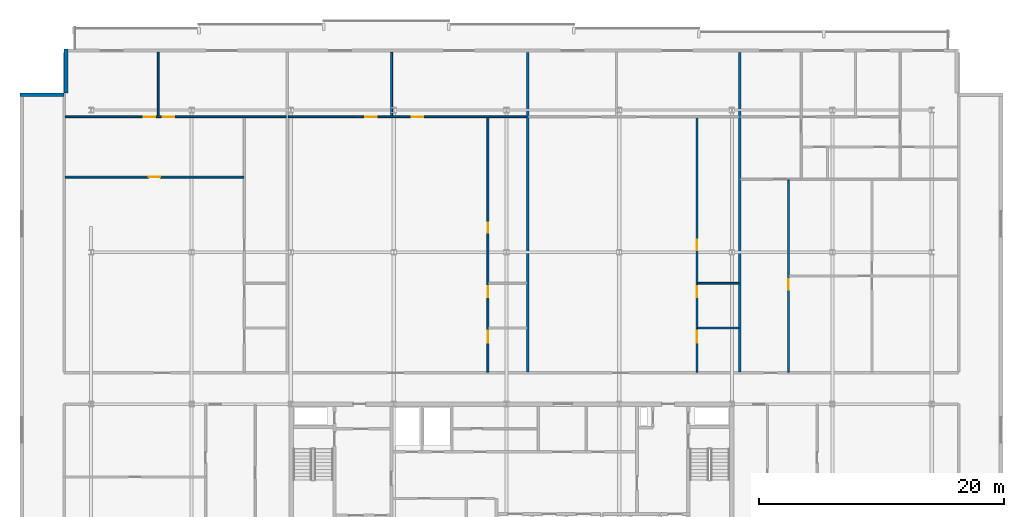
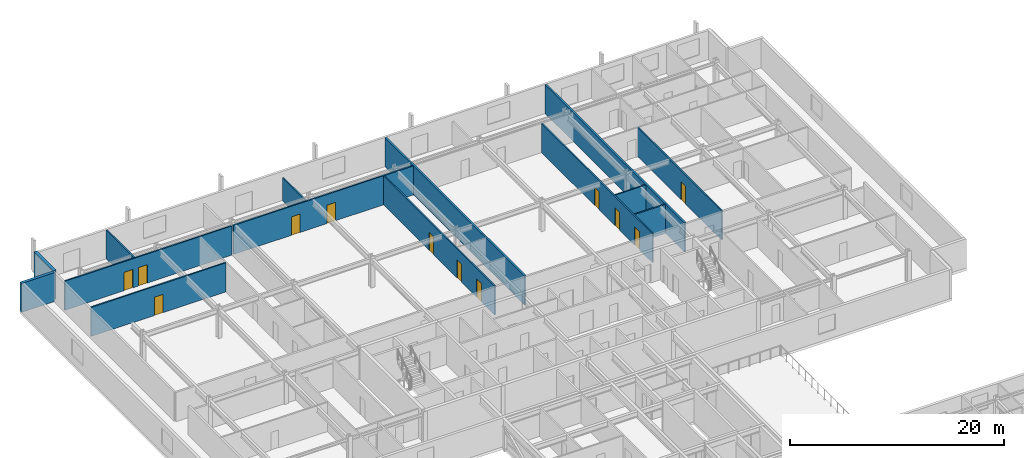
# One storey, part 20 of 28: 14 walls, 12 doors, 12 openings.
"""IFC4 building model written with IfcOpenShell, lengths in metres."""

from ifc_helpers import new_model, si_unit, direction, frame, frame_2d, origin, place, context, subcontext, project, spatial, rectangle, extrude, material, layer, layer_set, type_object, element, fill, save


model = new_model("IFC4")

# Units and contexts
model_context = context("Model", 3, precision=1e-05, world=origin(), true_north=direction((0.0, 1.0)))
body_context = subcontext(model_context, "Body", "Model", "MODEL_VIEW")
ifc_project = project(units=[si_unit("LENGTHUNIT", "METRE"), si_unit("AREAUNIT", "SQUARE_METRE"), si_unit("VOLUMEUNIT", "CUBIC_METRE"), si_unit("PLANEANGLEUNIT", "RADIAN"), si_unit("MASSUNIT", "GRAM", prefix="KILO")], contexts=[model_context])

# Site, building, storey
site_placement = place(None, origin())
site = spatial("IfcSite", under=ifc_project, at=site_placement, CompositionType="ELEMENT")
building_placement = place(site_placement, origin())
building = spatial("IfcBuilding", under=site, at=building_placement, Name="Korimba Cascade Residences", CompositionType="ELEMENT")
storey_placement = place(building_placement, frame((0.0, 0.0, 153.699951171875)))
storey = spatial("IfcBuildingStorey", under=building, at=storey_placement, Name="L44", CompositionType="ELEMENT", Elevation=153.699951171875)

# Walls
ifc_material_1 = material(Name="Precast concrete C40/50", Category="concrete")
ifc_layer_1 = layer(ifc_material_1, 0.300048828125)
ifc_layer_set_1 = layer_set([ifc_layer_1], Name="Precast concrete C40/50")
wall_type_1 = type_object("IfcWallType", Name="EW-STONE-300", PredefinedType="STANDARD", material=ifc_layer_set_1)
wall_1_placement = place(storey_placement, frame((57.75, 96.199951171875, 0.0), z_axis=(0.0, 0.0, 1.0), x_axis=(0.0, -1.0, 0.0)))
element("IfcWall", 1, at=wall_1_placement, inside=storey, type_object=wall_type_1, Name="L44 T1 Perimeter Stone Wall E07", PredefinedType="STANDARD", context=body_context, shape_type="SweptSolid", body=[
    extrude(rectangle(XDim=3.599853515625, YDim=0.300048828125, at=frame_2d((1.7998046875, 0.0))), origin(), (0.0, 0.0, 1.0), 3.320068359375),
])
wall_2_placement = place(storey_placement, frame((57.60009765625, 92.449951171875, 0.0), z_axis=(0.0, 0.0, 1.0), x_axis=(-1.0, 0.0, 0.0)))
element("IfcWall", 2, at=wall_2_placement, inside=storey, type_object=wall_type_1, Name="L44 T1 Perimeter Stone Wall E08", PredefinedType="STANDARD", context=body_context, shape_type="SweptSolid", body=[
    extrude(rectangle(XDim=3.60009765625, YDim=0.300048828125, at=frame_2d((1.800048828125, 0.0))), origin(), (0.0, 0.0, 1.0), 3.320068359375),
])
ifc_layer_2 = layer(ifc_material_1, 0.199951171875)
ifc_layer_set_2 = layer_set([ifc_layer_2], Name="Precast concrete C40/50")
wall_type_2 = type_object("IfcWallType", Name="WAL-IT-200", PredefinedType="PARTITIONING", material=ifc_layer_set_2)
for number, where, z_axis, x_axis, name in (
    (3, (95.449951171875, 69.830078125, 0.0), (0.0, 0.0, 1.0), (0.0, 1.0, 0.0), "L44 Partition Wall WAL-L44-T1-DEM-2"),
    (4, (112.75, 69.830078125, 0.0), (0.0, 0.0, 1.0), (0.0, 1.0, 0.0), "L44 Partition Wall WAL-L44-T1-DEM-3"),
):
    element("IfcWall", number, at=place(storey_placement, frame(where, z_axis=z_axis, x_axis=x_axis)), inside=storey, type_object=wall_type_2, Name=name, PredefinedType="PARTITIONING", context=body_context, shape_type="SweptSolid", body=[
        extrude(rectangle(XDim=26.06982421875, YDim=0.199951171875, at=frame_2d((13.034912109375, 0.0))), origin(), (0.0, 0.0, 1.0), 3.320068359375),
    ])

# Wall, opening, door
ifc_material_2 = material(Name="Insulated Acoustic Stud Partition", Category="gypsum")
ifc_layer_3 = layer(ifc_material_2, 0.14990234375)
ifc_layer_set_3 = layer_set([ifc_layer_3], Name="Insulated Acoustic Stud Partition")
wall_type_3 = type_object("IfcWallType", Name="WAL-PART-150", PredefinedType="PARTITIONING", material=ifc_layer_set_3)
wall_3_placement = place(storey_placement, frame((57.679931640625, 85.72998046875, 0.0), z_axis=(0.0, 0.0, 1.0), x_axis=(1.0, 0.0, 0.0)))
wall_3 = element("IfcWall", 5, at=wall_3_placement, inside=storey, type_object=wall_type_3, Name="L44 Partition Wall WAL-L44-T1-U01-CARH", PredefinedType="PARTITIONING", context=body_context, shape_type="SweptSolid", body=[
    extrude(rectangle(XDim=14.592529296875, YDim=0.14990234375, at=frame_2d((7.29638671875, 0.0))), origin(), (0.0, 0.0, 1.0), 3.320068359375),
])
opening_1_placement = place(wall_3_placement, frame((6.826171875, 0.0, 0.0)))
opening_1 = element("IfcOpeningElement", 6, at=opening_1_placement, cuts=wall_3, Name="Opening D-IN0", PredefinedType="OPENING", context=body_context, shape_type="SweptSolid", body=[
    extrude(rectangle(XDim=0.93994140625, YDim=2.10009765625, at=frame_2d((0.469970703125, 1.050048828125))), frame((0.0, 0.0849609375, 0.0), z_axis=(0.0, -1.0, 0.0), x_axis=(1.0, 0.0, 0.0)), (0.0, 0.0, 1.0), 0.169921875),
])
ifc_material_3 = material(Name="Acoustic Timber Living Archway Door", Category="wood")
door_type_1 = type_object("IfcDoorType", Name="DR-INT-950", OperationType="NOTDEFINED", PredefinedType="DOOR", material=ifc_material_3)
door_1_placement = place(opening_1_placement, origin())
door_1 = element("IfcDoor", 7, at=door_1_placement, inside=storey, type_object=door_type_1, Name="L44-T1-U01 Wellness Clinic Foyer Door", OperationType="SINGLE_SWING_RIGHT", OverallHeight=2.10009765625, OverallWidth=0.93994140625, PredefinedType="DOOR", context=body_context, shape_type="SweptSolid", body=[
    extrude(rectangle(XDim=0.93994140625, YDim=2.10009765625, at=frame_2d((0.469970703125, 1.050048828125))), frame((0.0, 0.02490234375, 0.0), z_axis=(0.0, -1.0, 0.0), x_axis=(1.0, 0.0, 0.0)), (0.0, 0.0, 1.0), 0.050048828125),
])
fill(opening_1, door_1)

# Wall
wall_4_placement = place(storey_placement, frame((65.2861328125, 90.72998046875, 0.0), z_axis=(0.0, 0.0, 1.0), x_axis=(0.0, 1.0, 0.0)))
element("IfcWall", 8, at=wall_4_placement, inside=storey, type_object=wall_type_3, Name="L44 Partition Wall WAL-L44-T1-U01-OUTV", PredefinedType="PARTITIONING", context=body_context, shape_type="SweptSolid", body=[
    extrude(rectangle(XDim=5.169921875, YDim=0.14990234375, at=frame_2d((2.5849609375, 0.0))), origin(), (0.0, 0.0, 1.0), 3.320068359375),
])

# Wall, openings, doors
wall_5_placement = place(storey_placement, frame((57.679931640625, 90.64990234375, 0.0), z_axis=(0.0, 0.0, 1.0), x_axis=(1.0, 0.0, 0.0)))
wall_5 = element("IfcWall", 9, at=wall_5_placement, inside=storey, type_object=wall_type_3, Name="L44 Partition Wall WAL-L44-T1-U01-HZ", PredefinedType="PARTITIONING", context=body_context, shape_type="SweptSolid", body=[
    extrude(rectangle(XDim=18.052490234375, YDim=0.14990234375, at=frame_2d((9.0263671875, 0.0))), origin(), (0.0, 0.0, 1.0), 3.320068359375),
])
opening_2_placement = place(wall_5_placement, frame((6.416259765625, 0.0, 0.0)))
opening_2 = element("IfcOpeningElement", 10, at=opening_2_placement, cuts=wall_5, Name="Opening D-IN0", PredefinedType="OPENING", context=body_context, shape_type="SweptSolid", body=[
    extrude(rectangle(XDim=0.93994140625, YDim=2.10009765625, at=frame_2d((0.469970703125, 1.050048828125))), frame((0.0, 0.0849609375, 0.0), z_axis=(0.0, -1.0, 0.0), x_axis=(1.0, 0.0, 0.0)), (0.0, 0.0, 1.0), 0.169921875),
])
opening_3_placement = place(wall_5_placement, frame((7.968017578125, 0.0, 0.0)))
opening_3 = element("IfcOpeningElement", 11, at=opening_3_placement, cuts=wall_5, Name="Opening D-IN0", PredefinedType="OPENING", context=body_context, shape_type="SweptSolid", body=[
    extrude(rectangle(XDim=0.93994140625, YDim=2.10009765625, at=frame_2d((0.469970703125, 1.050048828125))), frame((0.0, 0.0849609375, 0.0), z_axis=(0.0, -1.0, 0.0), x_axis=(1.0, 0.0, 0.0)), (0.0, 0.0, 1.0), 0.169921875),
])
door_2_placement = place(opening_2_placement, origin())
door_2 = element("IfcDoor", 12, at=door_2_placement, inside=storey, type_object=door_type_1, Name="L44-T1-U01 Hydrotherapy Wellness Clinic Door", OperationType="SINGLE_SWING_RIGHT", OverallHeight=2.10009765625, OverallWidth=0.93994140625, PredefinedType="DOOR", context=body_context, shape_type="SweptSolid", body=[
    extrude(rectangle(XDim=0.93994140625, YDim=2.10009765625, at=frame_2d((0.469970703125, 1.050048828125))), frame((0.0, 0.02490234375, 0.0), z_axis=(0.0, -1.0, 0.0), x_axis=(1.0, 0.0, 0.0)), (0.0, 0.0, 1.0), 0.050048828125),
])
fill(opening_2, door_2)
door_3_placement = place(opening_3_placement, origin())
door_3 = element("IfcDoor", 13, at=door_3_placement, inside=storey, type_object=door_type_1, Name="L44-T1-U01 Physiotherapy Treatment Room Door", OperationType="SINGLE_SWING_LEFT", OverallHeight=2.10009765625, OverallWidth=0.93994140625, PredefinedType="DOOR", context=body_context, shape_type="SweptSolid", body=[
    extrude(rectangle(XDim=0.93994140625, YDim=2.10009765625, at=frame_2d((0.469970703125, 1.050048828125))), frame((0.0, 0.02490234375, 0.0), z_axis=(0.0, -1.0, 0.0), x_axis=(1.0, 0.0, 0.0)), (0.0, 0.0, 1.0), 0.050048828125),
])
fill(opening_3, door_3)

wall_6_placement = place(storey_placement, frame((92.179931640625, 69.81005859375, 0.0), z_axis=(0.0, 0.0, 1.0), x_axis=(0.0, 1.0, 0.0)))
wall_6 = element("IfcWall", 14, at=wall_6_placement, inside=storey, type_object=wall_type_3, Name="L44 Partition Wall WAL-L44-T1-U02-WCV", PredefinedType="PARTITIONING", context=body_context, shape_type="SweptSolid", body=[
    extrude(rectangle(XDim=20.780029296875, YDim=0.14990234375, at=frame_2d((10.39013671875, 0.0))), origin(), (0.0, 0.0, 1.0), 3.320068359375),
])
opening_4_placement = place(wall_6_placement, frame((2.406005859375, 0.0, 0.0)))
opening_4 = element("IfcOpeningElement", 15, at=opening_4_placement, cuts=wall_6, Name="Opening D-AC1", PredefinedType="OPENING", context=body_context, shape_type="SweptSolid", body=[
    extrude(rectangle(XDim=0.9599609375, YDim=2.10009765625, at=frame_2d((0.47998046875, 1.050048828125))), frame((0.0, 0.0849609375, 0.0), z_axis=(0.0, -1.0, 0.0), x_axis=(1.0, 0.0, 0.0)), (0.0, 0.0, 1.0), 0.169921875),
])
opening_5_placement = place(wall_6_placement, frame((6.132568359375, 0.0, 0.0)))
opening_5 = element("IfcOpeningElement", 16, at=opening_5_placement, cuts=wall_6, Name="Opening D-IN2", PredefinedType="OPENING", context=body_context, shape_type="SweptSolid", body=[
    extrude(rectangle(XDim=0.8798828125, YDim=2.06005859375, at=frame_2d((0.43994140625, 1.030029296875))), frame((0.0, 0.0849609375, 0.0), z_axis=(0.0, -1.0, 0.0), x_axis=(1.0, 0.0, 0.0)), (0.0, 0.0, 1.0), 0.169921875),
])
opening_6_placement = place(wall_6_placement, frame((11.370361328125, 0.0, 0.0)))
opening_6 = element("IfcOpeningElement", 17, at=opening_6_placement, cuts=wall_6, Name="Opening D-BT1", PredefinedType="OPENING", context=body_context, shape_type="SweptSolid", body=[
    extrude(rectangle(XDim=0.840087890625, YDim=2.0400390625, at=frame_2d((0.419921875, 1.02001953125))), frame((0.0, 0.0849609375, 0.0), z_axis=(0.0, -1.0, 0.0), x_axis=(1.0, 0.0, 0.0)), (0.0, 0.0, 1.0), 0.169921875),
])
ifc_material_4 = material(Name="Accessible Acoustic Timber WC Door", Category="wood")
door_type_2 = type_object("IfcDoorType", Name="DR-ACC-950", OperationType="NOTDEFINED", PredefinedType="DOOR", material=ifc_material_4)
door_4_placement = place(opening_4_placement, origin())
door_4 = element("IfcDoor", 18, at=door_4_placement, inside=storey, type_object=door_type_2, Name="L44-T1-U02 Accessible WC Door", OperationType="SINGLE_SWING_RIGHT", OverallHeight=2.10009765625, OverallWidth=0.9599609375, PredefinedType="DOOR", context=body_context, shape_type="SweptSolid", body=[
    extrude(rectangle(XDim=0.9599609375, YDim=2.10009765625, at=frame_2d((0.47998046875, 1.050048828125))), frame((0.0, 0.02490234375, 0.0), z_axis=(0.0, -1.0, 0.0), x_axis=(1.0, 0.0, 0.0)), (0.0, 0.0, 1.0), 0.050048828125),
])
fill(opening_4, door_4)
ifc_material_5 = material(Name="Moisture-Resistant Bathroom Timber Door", Category="wood")
door_type_3 = type_object("IfcDoorType", Name="DR-INT-850", OperationType="NOTDEFINED", PredefinedType="DOOR", material=ifc_material_5)
door_5_placement = place(opening_6_placement, origin())
door_5 = element("IfcDoor", 19, at=door_5_placement, inside=storey, type_object=door_type_3, Name="L44-T1-U02 Suite Store Door", OperationType="SINGLE_SWING_RIGHT", OverallHeight=2.0400390625, OverallWidth=0.840087890625, PredefinedType="DOOR", context=body_context, shape_type="SweptSolid", body=[
    extrude(rectangle(XDim=0.840087890625, YDim=2.0400390625, at=frame_2d((0.419921875, 1.02001953125))), frame((0.0, 0.02490234375, 0.0), z_axis=(0.0, -1.0, 0.0), x_axis=(1.0, 0.0, 0.0)), (0.0, 0.0, 1.0), 0.050048828125),
])
fill(opening_6, door_5)
ifc_material_6 = material(Name="Acoustic Timber Bedroom Door", Category="wood")
door_type_4 = type_object("IfcDoorType", Name="DR-INT-880", OperationType="NOTDEFINED", PredefinedType="DOOR", material=ifc_material_6)
door_6_placement = place(opening_5_placement, origin())
door_6 = element("IfcDoor", 20, at=door_6_placement, inside=storey, type_object=door_type_4, Name="L44-T1-U02 Restroom WC Door", OperationType="SINGLE_SWING_LEFT", OverallHeight=2.06005859375, OverallWidth=0.8798828125, PredefinedType="DOOR", context=body_context, shape_type="SweptSolid", body=[
    extrude(rectangle(XDim=0.8798828125, YDim=2.06005859375, at=frame_2d((0.43994140625, 1.030029296875))), frame((0.0, 0.02490234375, 0.0), z_axis=(0.0, -1.0, 0.0), x_axis=(1.0, 0.0, 0.0)), (0.0, 0.0, 1.0), 0.050048828125),
])
fill(opening_5, door_6)

# Wall
wall_7_placement = place(storey_placement, frame((84.326416015625, 90.72998046875, 0.0), z_axis=(0.0, 0.0, 1.0), x_axis=(0.0, 1.0, 0.0)))
element("IfcWall", 21, at=wall_7_placement, inside=storey, type_object=wall_type_3, Name="L44 Partition Wall WAL-L44-T1-U02-OUTV", PredefinedType="PARTITIONING", context=body_context, shape_type="SweptSolid", body=[
    extrude(rectangle(XDim=5.169921875, YDim=0.14990234375, at=frame_2d((2.5849609375, 0.0))), origin(), (0.0, 0.0, 1.0), 2.627197265625),
])

# Wall, openings, doors
wall_8_placement = place(storey_placement, frame((75.892578125, 90.64990234375, 0.0), z_axis=(0.0, 0.0, 1.0), x_axis=(1.0, 0.0, 0.0)))
wall_8 = element("IfcWall", 22, at=wall_8_placement, inside=storey, type_object=wall_type_3, Name="L44 Partition Wall WAL-L44-T1-U02-HZ", PredefinedType="PARTITIONING", context=body_context, shape_type="SweptSolid", body=[
    extrude(rectangle(XDim=19.4775390625, YDim=0.14990234375, at=frame_2d((9.73876953125, 0.0))), origin(), (0.0, 0.0, 1.0), 3.320068359375),
])
opening_7_placement = place(wall_8_placement, frame((6.2646484375, 0.0, 0.0)))
opening_7 = element("IfcOpeningElement", 23, at=opening_7_placement, cuts=wall_8, Name="Opening D-IN0", PredefinedType="OPENING", context=body_context, shape_type="SweptSolid", body=[
    extrude(rectangle(XDim=0.93994140625, YDim=2.10009765625, at=frame_2d((0.469970703125, 1.050048828125))), frame((0.0, 0.0849609375, 0.0), z_axis=(0.0, -1.0, 0.0), x_axis=(1.0, 0.0, 0.0)), (0.0, 0.0, 1.0), 0.169921875),
])
opening_8_placement = place(wall_8_placement, frame((10.0947265625, 0.0, 0.0)))
opening_8 = element("IfcOpeningElement", 24, at=opening_8_placement, cuts=wall_8, Name="Opening D-IN0", PredefinedType="OPENING", context=body_context, shape_type="SweptSolid", body=[
    extrude(rectangle(XDim=0.93994140625, YDim=2.10009765625, at=frame_2d((0.469970703125, 1.050048828125))), frame((0.0, 0.0849609375, 0.0), z_axis=(0.0, -1.0, 0.0), x_axis=(1.0, 0.0, 0.0)), (0.0, 0.0, 1.0), 0.169921875),
])
door_7_placement = place(opening_7_placement, origin())
door_7 = element("IfcDoor", 25, at=door_7_placement, inside=storey, type_object=door_type_1, Name="L44-T1-U02 Fitness Pilates Gym Door", OperationType="SINGLE_SWING_LEFT", OverallHeight=2.10009765625, OverallWidth=0.93994140625, PredefinedType="DOOR", context=body_context, shape_type="SweptSolid", body=[
    extrude(rectangle(XDim=0.93994140625, YDim=2.10009765625, at=frame_2d((0.469970703125, 1.050048828125))), frame((0.0, 0.02490234375, 0.0), z_axis=(0.0, -1.0, 0.0), x_axis=(1.0, 0.0, 0.0)), (0.0, 0.0, 1.0), 0.050048828125),
])
fill(opening_7, door_7)
door_8_placement = place(opening_8_placement, origin())
door_8 = element("IfcDoor", 26, at=door_8_placement, inside=storey, type_object=door_type_1, Name="L44-T1-U02 Private Screening Cinema Door", OperationType="SINGLE_SWING_RIGHT", OverallHeight=2.10009765625, OverallWidth=0.93994140625, PredefinedType="DOOR", context=body_context, shape_type="SweptSolid", body=[
    extrude(rectangle(XDim=0.93994140625, YDim=2.10009765625, at=frame_2d((0.469970703125, 1.050048828125))), frame((0.0, 0.02490234375, 0.0), z_axis=(0.0, -1.0, 0.0), x_axis=(1.0, 0.0, 0.0)), (0.0, 0.0, 1.0), 0.050048828125),
])
fill(opening_8, door_8)

# Walls
for number, where, z_axis, x_axis, name in (
    (27, (109.31005859375, 73.419921875, 0.0), (0.0, 0.0, 1.0), (1.0, 0.0, 0.0), "L44 Partition Wall WAL-L44-T1-U03-WCH"),
    (28, (109.31005859375, 77.070068359375, 0.0), (0.0, 0.0, 1.0), (1.0, 0.0, 0.0), "L44 Partition Wall WAL-L44-T1-U03-WCH2"),
):
    element("IfcWall", number, at=place(storey_placement, frame(where, z_axis=z_axis, x_axis=x_axis)), inside=storey, type_object=wall_type_3, Name=name, PredefinedType="PARTITIONING", context=body_context, shape_type="SweptSolid", body=[
        extrude(rectangle(XDim=3.35986328125, YDim=0.14990234375, at=frame_2d((1.679931640625, 0.0))), origin(), (0.0, 0.0, 1.0), 3.320068359375),
    ])

# Wall, openings, doors
wall_9_placement = place(storey_placement, frame((109.25, 69.81005859375, 0.0), z_axis=(0.0, 0.0, 1.0), x_axis=(0.0, 1.0, 0.0)))
wall_9 = element("IfcWall", 29, at=wall_9_placement, inside=storey, type_object=wall_type_3, Name="L44 Partition Wall WAL-L44-T1-U03-WCV", PredefinedType="PARTITIONING", context=body_context, shape_type="SweptSolid", body=[
    extrude(rectangle(XDim=20.780029296875, YDim=0.14990234375, at=frame_2d((10.39013671875, 0.0))), origin(), (0.0, 0.0, 1.0), 3.320068359375),
])
opening_9_placement = place(wall_9_placement, frame((2.406005859375, 0.0, 0.0)))
opening_9 = element("IfcOpeningElement", 30, at=opening_9_placement, cuts=wall_9, Name="Opening D-AC1", PredefinedType="OPENING", context=body_context, shape_type="SweptSolid", body=[
    extrude(rectangle(XDim=0.9599609375, YDim=2.10009765625, at=frame_2d((0.47998046875, 1.050048828125))), frame((0.0, 0.0849609375, 0.0), z_axis=(0.0, -1.0, 0.0), x_axis=(1.0, 0.0, 0.0)), (0.0, 0.0, 1.0), 0.169921875),
])
opening_10_placement = place(wall_9_placement, frame((6.132568359375, 0.0, 0.0)))
opening_10 = element("IfcOpeningElement", 31, at=opening_10_placement, cuts=wall_9, Name="Opening D-IN2", PredefinedType="OPENING", context=body_context, shape_type="SweptSolid", body=[
    extrude(rectangle(XDim=0.8798828125, YDim=2.06005859375, at=frame_2d((0.43994140625, 1.030029296875))), frame((0.0, 0.0849609375, 0.0), z_axis=(0.0, -1.0, 0.0), x_axis=(1.0, 0.0, 0.0)), (0.0, 0.0, 1.0), 0.169921875),
])
opening_11_placement = place(wall_9_placement, frame((9.969970703125, 0.0, 0.0)))
opening_11 = element("IfcOpeningElement", 32, at=opening_11_placement, cuts=wall_9, Name="Opening D-BT1", PredefinedType="OPENING", context=body_context, shape_type="SweptSolid", body=[
    extrude(rectangle(XDim=0.840087890625, YDim=2.0400390625, at=frame_2d((0.419921875, 1.02001953125))), frame((0.0, 0.0849609375, 0.0), z_axis=(0.0, -1.0, 0.0), x_axis=(1.0, 0.0, 0.0)), (0.0, 0.0, 1.0), 0.169921875),
])
door_9_placement = place(opening_9_placement, origin())
door_9 = element("IfcDoor", 33, at=door_9_placement, inside=storey, type_object=door_type_2, Name="L44-T1-U03 Accessible WC Door", OperationType="SINGLE_SWING_LEFT", OverallHeight=2.10009765625, OverallWidth=0.9599609375, PredefinedType="DOOR", context=body_context, shape_type="SweptSolid", body=[
    extrude(rectangle(XDim=0.9599609375, YDim=2.10009765625, at=frame_2d((0.47998046875, 1.050048828125))), frame((0.0, 0.02490234375, 0.0), z_axis=(0.0, -1.0, 0.0), x_axis=(1.0, 0.0, 0.0)), (0.0, 0.0, 1.0), 0.050048828125),
])
fill(opening_9, door_9)
door_10_placement = place(opening_11_placement, origin())
door_10 = element("IfcDoor", 34, at=door_10_placement, inside=storey, type_object=door_type_3, Name="L44-T1-U03 Suite Store Door", OperationType="SINGLE_SWING_LEFT", OverallHeight=2.0400390625, OverallWidth=0.840087890625, PredefinedType="DOOR", context=body_context, shape_type="SweptSolid", body=[
    extrude(rectangle(XDim=0.840087890625, YDim=2.0400390625, at=frame_2d((0.419921875, 1.02001953125))), frame((0.0, 0.02490234375, 0.0), z_axis=(0.0, -1.0, 0.0), x_axis=(1.0, 0.0, 0.0)), (0.0, 0.0, 1.0), 0.050048828125),
])
fill(opening_11, door_10)
door_11_placement = place(opening_10_placement, origin())
door_11 = element("IfcDoor", 35, at=door_11_placement, inside=storey, type_object=door_type_4, Name="L44-T1-U03 Restroom WC Door", OperationType="SINGLE_SWING_RIGHT", OverallHeight=2.06005859375, OverallWidth=0.8798828125, PredefinedType="DOOR", context=body_context, shape_type="SweptSolid", body=[
    extrude(rectangle(XDim=0.8798828125, YDim=2.06005859375, at=frame_2d((0.43994140625, 1.030029296875))), frame((0.0, 0.02490234375, 0.0), z_axis=(0.0, -1.0, 0.0), x_axis=(1.0, 0.0, 0.0)), (0.0, 0.0, 1.0), 0.050048828125),
])
fill(opening_10, door_11)

# Wall, opening, door
wall_10_placement = place(storey_placement, frame((116.719970703125, 69.81005859375, 0.0), z_axis=(0.0, 0.0, 1.0), x_axis=(0.0, 1.0, 0.0)))
wall_10 = element("IfcWall", 36, at=wall_10_placement, inside=storey, type_object=wall_type_3, Name="L44 Partition Wall WAL-L44-T1-U04-FV", PredefinedType="PARTITIONING", context=body_context, shape_type="SweptSolid", body=[
    extrude(rectangle(XDim=15.699951171875, YDim=0.14990234375, at=frame_2d((7.85009765625, 0.0))), origin(), (0.0, 0.0, 1.0), 3.320068359375),
])
opening_12_placement = place(wall_10_placement, frame((6.719970703125, 0.0, 0.0)))
opening_12 = element("IfcOpeningElement", 37, at=opening_12_placement, cuts=wall_10, Name="Opening D-IN2", PredefinedType="OPENING", context=body_context, shape_type="SweptSolid", body=[
    extrude(rectangle(XDim=0.8798828125, YDim=2.06005859375, at=frame_2d((0.43994140625, 1.030029296875))), frame((0.0, 0.0849609375, 0.0), z_axis=(0.0, -1.0, 0.0), x_axis=(1.0, 0.0, 0.0)), (0.0, 0.0, 1.0), 0.169921875),
])
door_12_placement = place(opening_12_placement, origin())
door_12 = element("IfcDoor", 38, at=door_12_placement, inside=storey, type_object=door_type_4, Name="L44-T1-U04 Media Lounge Door", OperationType="SINGLE_SWING_LEFT", OverallHeight=2.06005859375, OverallWidth=0.8798828125, PredefinedType="DOOR", context=body_context, shape_type="SweptSolid", body=[
    extrude(rectangle(XDim=0.8798828125, YDim=2.06005859375, at=frame_2d((0.43994140625, 1.030029296875))), frame((0.0, 0.02490234375, 0.0), z_axis=(0.0, -1.0, 0.0), x_axis=(1.0, 0.0, 0.0)), (0.0, 0.0, 1.0), 0.050048828125),
])
fill(opening_12, door_12)

save(model, "model.ifc")
